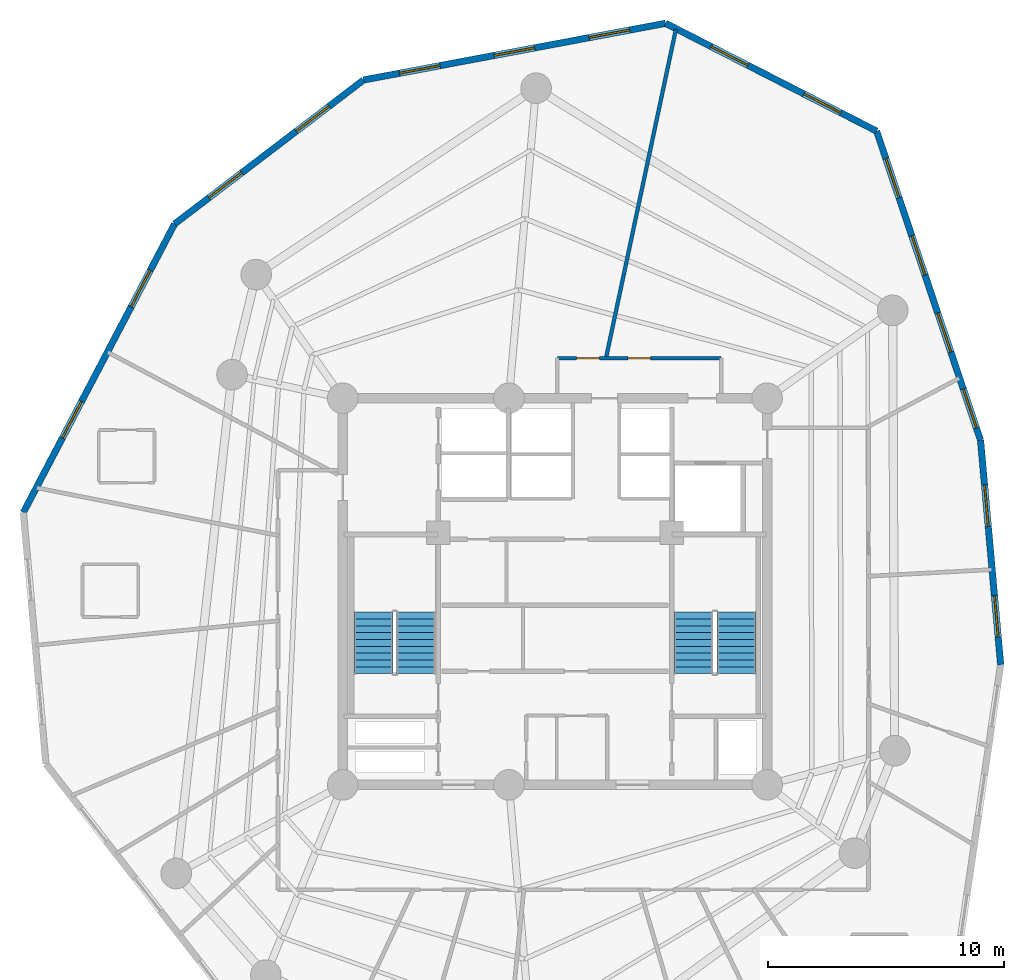
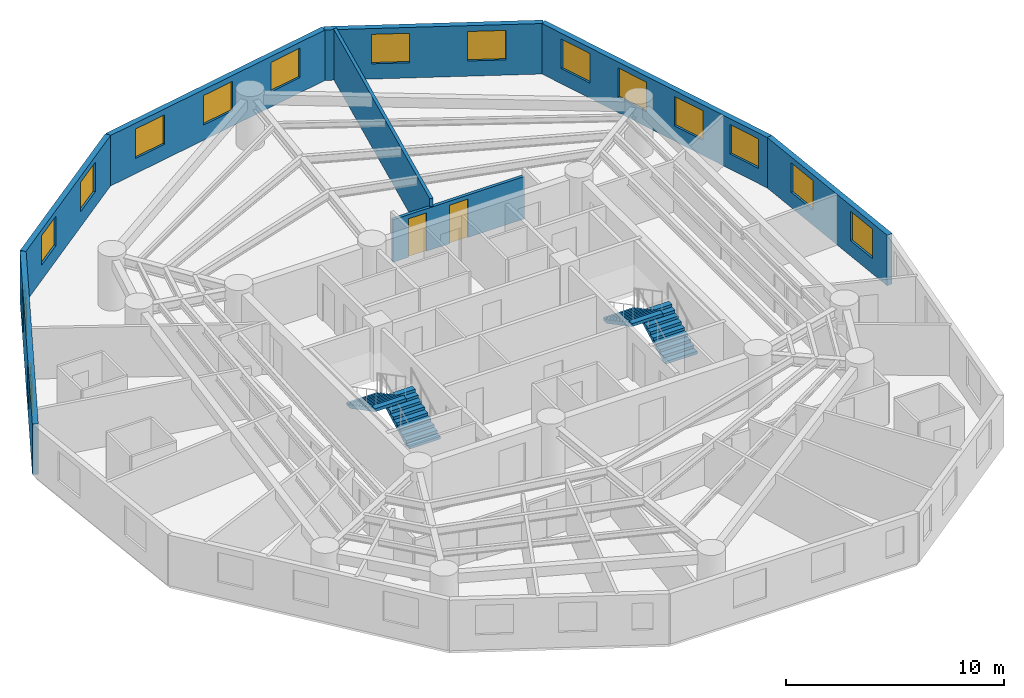
# One storey, part 6 of 7: 15 windows, 8 walls, 4 stair flights, 2 doors, 17 openings, 2 elements without a shape of their own.
"""IFC4 building model written with IfcOpenShell, lengths in metres."""

import ifcopenshell
import ifcopenshell.guid

model = None  # the IFC model being written
_history = None  # IfcOwnerHistory: only IFC2X3 demands one
_inside = {}  # id of a spatial element -> (the spatial element, [elements in it])
_under = {}  # id of a project, library or spatial element -> (it, [spatial elements below it])
_declared = {}  # id of a project -> (the project, [libraries it declares])
_typed = {}  # id of a type object -> (the type object, [elements of that type])
_made_of = {}  # id of a material, layer set ... -> (it, [elements and type objects made of it])


def new_model(schema):
    """Start an empty IFC model of exactly this schema.

    Asked for "IFC4X3", IfcOpenShell would pick the latest addendum, in which some entities
    have other attributes; the version numbers below select the first issue.
    IFC2X3 requires an IfcOwnerHistory on every rooted entity: one is made here for all.
    """
    global model, _history
    if schema == "IFC4X3":
        model = ifcopenshell.file(schema_version=(4, 3, 0, 0))
    else:
        model = ifcopenshell.file(schema=schema)
    _inside.clear()
    _under.clear()
    _declared.clear()
    _typed.clear()
    _made_of.clear()
    _history = None
    if model.schema == "IFC2X3":
        org = make("IfcOrganization", Name="unknown")
        user = make(
            "IfcPersonAndOrganization",
            ThePerson=make("IfcPerson", FamilyName="unknown"),
            TheOrganization=org,
        )
        app = make(
            "IfcApplication",
            ApplicationDeveloper=org,
            Version="unknown",
            ApplicationFullName="unknown",
            ApplicationIdentifier="unknown",
        )
        _history = make(
            "IfcOwnerHistory",
            OwningUser=user,
            OwningApplication=app,
            ChangeAction="ADDED",
            CreationDate=0,
        )
    return model


def make(cls, **values):
    """One entity of the class cls with the attributes given. An attribute that is None is left unset."""
    return model.create_entity(
        cls, **{name: value for name, value in values.items() if value is not None}
    )


def rooted(cls, **values):
    """An entity with a GlobalId (a new one), such as an element, a storey or a relation."""
    return make(cls, GlobalId=ifcopenshell.guid.new(), OwnerHistory=_history, **values)


def si_unit(unit_type, name, prefix=None):
    """IfcSIUnit, for example si_unit("LENGTHUNIT", "METRE", prefix="MILLI")."""
    return make("IfcSIUnit", UnitType=unit_type, Prefix=prefix, Name=name)


def assignment(units):
    """IfcUnitAssignment: the units of a project."""
    return None if units is None else make("IfcUnitAssignment", Units=units)


def point(xyz):
    """IfcCartesianPoint."""
    return None if xyz is None else make("IfcCartesianPoint", Coordinates=xyz)


def direction(xyz):
    """IfcDirection."""
    return None if xyz is None else make("IfcDirection", DirectionRatios=xyz)


def frame(location, z_axis=None, x_axis=None):
    """IfcAxis2Placement3D, a coordinate frame: its origin and axes. An axis left out is left unset."""
    return make(
        "IfcAxis2Placement3D",
        Location=point(location),
        Axis=direction(z_axis),
        RefDirection=direction(x_axis),
    )


def frame_2d(location, x_axis=None):
    """IfcAxis2Placement2D, a coordinate frame in the plane: its origin and x axis."""
    return make(
        "IfcAxis2Placement2D", Location=point(location), RefDirection=direction(x_axis)
    )


def origin():
    """The frame at (0, 0, 0) with its axes left unset."""
    return frame((0.0, 0.0, 0.0))


def origin_with_axes():
    """The frame at (0, 0, 0) with the z axis (0, 0, 1) and the x axis (1, 0, 0) written out."""
    return frame((0.0, 0.0, 0.0), z_axis=(0.0, 0.0, 1.0), x_axis=(1.0, 0.0, 0.0))


def place(relative_to, where):
    """IfcLocalPlacement: puts the frame where relative to a parent placement (None: the world)."""
    return make(
        "IfcLocalPlacement", PlacementRelTo=relative_to, RelativePlacement=where
    )


def context(
    kind, dimensions, precision=None, world=None, true_north=None, identifier=None
):
    """IfcGeometricRepresentationContext, for example the 3D "Model" context."""
    return make(
        "IfcGeometricRepresentationContext",
        ContextIdentifier=identifier,
        ContextType=kind,
        CoordinateSpaceDimension=dimensions,
        Precision=precision,
        WorldCoordinateSystem=world,
        TrueNorth=true_north,
    )


def subcontext(parent, identifier, kind, view, scale=None):
    """IfcGeometricRepresentationSubContext, for example "Body" below "Model"."""
    return make(
        "IfcGeometricRepresentationSubContext",
        ContextIdentifier=identifier,
        ContextType=kind,
        ParentContext=parent,
        TargetScale=scale,
        TargetView=view,
    )


def project(units=None, contexts=None):
    """IfcProject with its units and contexts."""
    return rooted(
        "IfcProject",
        Name="project",
        RepresentationContexts=contexts,
        UnitsInContext=assignment(units),
    )


def spatial(cls, under=None, at=None, **own):
    """A site, building, storey or space (cls), placed at a placement, below another one or the project."""
    s = rooted(cls, ObjectPlacement=at, **own)
    if under is not None:
        _under.setdefault(under.id(), (under, []))[1].append(s)
    return s


def polyline(points):
    """IfcPolyline through the points."""
    return make("IfcPolyline", Points=[point(p) for p in points])


def profile(cls, at=None, kind="AREA", **sizes):
    """A parametric profile (cls). Its sizes go by their IFC names, for example OverallWidth=200.0."""
    return make(cls, ProfileType=kind, Position=at, **sizes)


def rectangle(**sizes):
    """IfcRectangleProfileDef."""
    return profile("IfcRectangleProfileDef", **sizes)


def outline(outer, holes=None, kind="AREA"):
    """IfcArbitraryClosedProfileDef: a profile drawn as a closed curve; with holes, ...WithVoids."""
    if holes is None:
        return make("IfcArbitraryClosedProfileDef", ProfileType=kind, OuterCurve=outer)
    return make(
        "IfcArbitraryProfileDefWithVoids",
        ProfileType=kind,
        OuterCurve=outer,
        InnerCurves=holes,
    )


def extrude(swept, where, along, depth):
    """IfcExtrudedAreaSolid: the profile swept, set in the frame where, extruded along a direction by depth."""
    return make(
        "IfcExtrudedAreaSolid",
        SweptArea=swept,
        Position=where,
        ExtrudedDirection=direction(along),
        Depth=depth,
    )


def shape(context_of_items, identifier, shape_type, items):
    """IfcShapeRepresentation: the items that make up one representation, for example the "Body"."""
    return make(
        "IfcShapeRepresentation",
        ContextOfItems=context_of_items,
        RepresentationIdentifier=identifier,
        RepresentationType=shape_type,
        Items=items,
    )


def source(mapping_origin, context_of_items, identifier, shape_type, items):
    """IfcRepresentationMap: a shape defined once, which mapped items show again and again."""
    return make(
        "IfcRepresentationMap",
        MappingOrigin=mapping_origin,
        MappedRepresentation=shape(context_of_items, identifier, shape_type, items),
    )


def transform(
    local_origin,
    x_axis=None,
    y_axis=None,
    z_axis=None,
    scale=None,
    scale2=None,
    scale3=None,
    uniform=True,
):
    """IfcCartesianTransformationOperator3D, or its non-uniform kind. x_axis, y_axis, z_axis: its Axis1, 2, 3."""
    if uniform:
        return make(
            "IfcCartesianTransformationOperator3D",
            Axis1=direction(x_axis),
            Axis2=direction(y_axis),
            LocalOrigin=point(local_origin),
            Scale=scale,
            Axis3=direction(z_axis),
        )
    return make(
        "IfcCartesianTransformationOperator3DnonUniform",
        Axis1=direction(x_axis),
        Axis2=direction(y_axis),
        LocalOrigin=point(local_origin),
        Scale=scale,
        Axis3=direction(z_axis),
        Scale2=scale2,
        Scale3=scale3,
    )


def mapped(mapping_source, mapping_target):
    """IfcMappedItem: shows the shape of a source again, moved by a transform."""
    return make(
        "IfcMappedItem", MappingSource=mapping_source, MappingTarget=mapping_target
    )


def material(Name=None, Category=None):
    """IfcMaterial."""
    return make("IfcMaterial", Name=Name, Category=Category)


def layer(
    of_material, thickness, ventilated=None, Name=None, Category=None, Priority=None
):
    """IfcMaterialLayer: one layer of a wall or slab, of a material (None: an air gap)."""
    return make(
        "IfcMaterialLayer",
        Material=of_material,
        LayerThickness=thickness,
        IsVentilated=ventilated,
        Name=Name,
        Category=Category,
        Priority=Priority,
    )


def layer_set(layers, Name=None):
    """IfcMaterialLayerSet."""
    return make("IfcMaterialLayerSet", MaterialLayers=layers, LayerSetName=Name)


def made_of(thing, what):
    """Note that an element or type object is made of a material, layer set ...; save() writes the relation."""
    if what is not None:
        _made_of.setdefault(what.id(), (what, []))[1].append(thing)
    return thing


def type_object(cls, material=None, **own):
    """A type object (cls), such as IfcWallType, which elements share."""
    return made_of(rooted(cls, **own), material)


def element(
    cls,
    number,
    at=None,
    inside=None,
    cuts=None,
    type_object=None,
    material=None,
    context=None,
    identifier="Body",
    shape_type=None,
    held_by="IfcProductDefinitionShape",
    body=None,
    shapes=None,
    **own,
):
    """One element of the class cls, such as IfcWall. Its Tag is "e" and its number.

    at: its placement. inside: the storey or other place that contains it. cuts: it is an
    opening in that element (IfcRelVoidsElement). A single representation is given by context,
    identifier, shape_type and body (its items); several are given by shapes. held_by: the class
    of the entity that holds the representations. save() writes the other relations.
    """
    e = rooted(cls, Tag="e%d" % number, ObjectPlacement=at, **own)
    if body is not None:
        shapes = [shape(context, identifier, shape_type, body)]
    if shapes is not None:
        e.Representation = make(held_by, Representations=shapes)
    if inside is not None:
        _inside.setdefault(inside.id(), (inside, []))[1].append(e)
    if cuts is not None:
        rooted(
            "IfcRelVoidsElement", RelatingBuildingElement=cuts, RelatedOpeningElement=e
        )
    if type_object is not None:
        _typed.setdefault(type_object.id(), (type_object, []))[1].append(e)
    return made_of(e, material)


def fill(opening, filler):
    """IfcRelFillsElement: the door or window that sits in an opening."""
    return rooted(
        "IfcRelFillsElement",
        RelatingOpeningElement=opening,
        RelatedBuildingElement=filler,
    )


def aggregate(whole, parts):
    """IfcRelAggregates: a whole, such as a stair, and the parts it consists of."""
    return rooted("IfcRelAggregates", RelatingObject=whole, RelatedObjects=parts)


def save(model, path):
    """Write the relations noted so far, then the file.

    IfcRelAggregates (storeys below a building ...), IfcRelContainedInSpatialStructure (elements
    in a storey), IfcRelDefinesByType, IfcRelAssociatesMaterial and IfcRelDeclares: one each for
    every whole, place, type object, material and project.
    """
    for whole, parts in _under.values():
        aggregate(whole, parts)
    for where, things in _inside.values():
        rooted(
            "IfcRelContainedInSpatialStructure",
            RelatedElements=things,
            RelatingStructure=where,
        )
    for kind, things in _typed.values():
        rooted("IfcRelDefinesByType", RelatedObjects=things, RelatingType=kind)
    for what, things in _made_of.values():
        rooted("IfcRelAssociatesMaterial", RelatedObjects=things, RelatingMaterial=what)
    for by, libraries in _declared.values():
        rooted("IfcRelDeclares", RelatingContext=by, RelatedDefinitions=libraries)
    model.write(path)


model = new_model("IFC4")

# Units and contexts
model_context = context("Model", 3, precision=1e-05, world=origin(), true_north=direction((0.0, 1.0)))
body_context = subcontext(model_context, "Body", "Model", "MODEL_VIEW")
ifc_project = project(units=[si_unit("LENGTHUNIT", "METRE"), si_unit("AREAUNIT", "SQUARE_METRE"), si_unit("VOLUMEUNIT", "CUBIC_METRE"), si_unit("PLANEANGLEUNIT", "RADIAN"), si_unit("MASSUNIT", "GRAM", prefix="KILO")], contexts=[model_context])

# Site, building, storey
site_placement = place(None, origin())
site = spatial("IfcSite", under=ifc_project, at=site_placement, CompositionType="ELEMENT")
building_placement = place(site_placement, origin())
building = spatial("IfcBuilding", under=site, at=building_placement, Name="Karkom Vertical University and Central Library", CompositionType="ELEMENT")
storey_placement = place(building_placement, frame((0.0, 0.0, 199.25)))
storey = spatial("IfcBuildingStorey", under=building, at=storey_placement, Name="L58", CompositionType="ELEMENT", Elevation=199.25)

# Wall, openings, windows
ifc_material_1 = material(Name="Brick-faced precast concrete C45/55", Category="masonry")
ifc_layer_1 = layer(ifc_material_1, 0.280029296875)
ifc_layer_set_1 = layer_set([ifc_layer_1], Name="Brick-faced precast concrete C45/55")
wall_type_1 = type_object("IfcWallType", Name="ENV-WL-BRK-280", PredefinedType="SOLIDWALL", material=ifc_layer_set_1)
wall_1_placement = place(storey_placement, frame((47.4072265625, 23.39501953125, 0.0), z_axis=(0.0, 0.0, 1.0), x_axis=(-0.089232355469, 0.996010836657, 0.0)))
wall_1 = element("IfcWall", 1, at=wall_1_placement, inside=storey, type_object=wall_type_1, Name="Level 58 Brick-Faced Precast Facade Wall 07", PredefinedType="SOLIDWALL", context=body_context, shape_type="SweptSolid", body=[
    extrude(rectangle(XDim=9.5595703125, YDim=0.280029296875, at=frame_2d((4.77978515625, 0.0))), origin(), (0.0, 0.0, 1.0), 2.824951171875),
])
opening_1_placement = place(wall_1_placement, frame((1.182861328125, 0.0, 0.85009765625)))
opening_1 = element("IfcOpeningElement", 2, at=opening_1_placement, cuts=wall_1, Name="Opening WN-08", PredefinedType="OPENING", context=body_context, shape_type="SweptSolid", body=[
    extrude(rectangle(XDim=1.75, YDim=1.64990234375, at=frame_2d((0.875, 0.824951171875))), frame((0.0, 0.14990234375, 0.0), z_axis=(0.0, -1.0, 0.0), x_axis=(1.0, 0.0, 0.0)), (0.0, 0.0, 1.0), 0.300048828125),
])
opening_2_placement = place(wall_1_placement, frame((5.902587890625, 0.0, 0.85009765625)))
opening_2 = element("IfcOpeningElement", 3, at=opening_2_placement, cuts=wall_1, Name="Opening WN-08", PredefinedType="OPENING", context=body_context, shape_type="SweptSolid", body=[
    extrude(rectangle(XDim=1.75, YDim=1.64990234375, at=frame_2d((0.875, 0.824951171875))), frame((0.0, 0.14990234375, 0.0), z_axis=(0.0, -1.0, 0.0), x_axis=(1.0, 0.0, 0.0)), (0.0, 0.0, 1.0), 0.300048828125),
])
ifc_material_2 = material(Name="Aluminium thermal-break frame with solar-control IGU", Category="aluminium")
window_type = type_object("IfcWindowType", Name="ENV-WIN-WN-08", PartitioningType="SINGLE_PANEL", PredefinedType="WINDOW", material=ifc_material_2)
shared_shape_1 = source(origin_with_axes(), body_context, "Body", "SweptSolid", [
    extrude(rectangle(XDim=1.75, YDim=1.64990234375, at=frame_2d((0.875, 0.824951171875))), frame((0.0, 0.030029296875, 0.0), z_axis=(0.0, -1.0, 0.0), x_axis=(1.0, 0.0, 0.0)), (0.0, 0.0, 1.0), 0.06005859375),
])
window_1_placement = place(opening_1_placement, origin())
window_1 = element("IfcWindow", 4, at=window_1_placement, inside=storey, type_object=window_type, Name="Level 58 Punched Window 7.1", OverallHeight=1.64990234375, OverallWidth=1.75, PartitioningType="SINGLE_PANEL", PredefinedType="WINDOW", context=body_context, shape_type="MappedRepresentation", body=[
    mapped(shared_shape_1, transform((0.0, 0.0, 0.0), scale=1.0)),
])
fill(opening_1, window_1)
window_2_placement = place(opening_2_placement, origin())
window_2 = element("IfcWindow", 5, at=window_2_placement, inside=storey, type_object=window_type, Name="Level 58 Punched Window 7.2", OverallHeight=1.64990234375, OverallWidth=1.75, PartitioningType="SINGLE_PANEL", PredefinedType="WINDOW", context=body_context, shape_type="MappedRepresentation", body=[
    mapped(shared_shape_1, transform((0.0, 0.0, 0.0), scale=1.0)),
])
fill(opening_2, window_2)

wall_2_placement = place(storey_placement, frame((46.55419921875, 32.91650390625, 0.0), z_axis=(0.0, 0.0, 1.0), x_axis=(-0.318603463381, 0.947888091033, 0.0)))
wall_2 = element("IfcWall", 6, at=wall_2_placement, inside=storey, type_object=wall_type_1, Name="Level 58 Brick-Faced Precast Facade Wall 08", PredefinedType="SOLIDWALL", context=body_context, shape_type="SweptSolid", body=[
    extrude(rectangle(XDim=13.836669921875, YDim=0.280029296875, at=frame_2d((6.91845703125, 0.0))), origin(), (0.0, 0.0, 1.0), 2.824951171875),
])
opening_3_placement = place(wall_2_placement, frame((0.5439453125, 0.0, 0.85009765625)))
opening_3 = element("IfcOpeningElement", 7, at=opening_3_placement, cuts=wall_2, Name="Opening WN-08", PredefinedType="OPENING", context=body_context, shape_type="SweptSolid", body=[
    extrude(rectangle(XDim=1.75, YDim=1.64990234375, at=frame_2d((0.875, 0.824951171875))), frame((0.0, 0.14990234375, 0.0), z_axis=(0.0, -1.0, 0.0), x_axis=(1.0, 0.0, 0.0)), (0.0, 0.0, 1.0), 0.300048828125),
])
opening_4_placement = place(wall_2_placement, frame((3.949462890625, 0.0, 0.85009765625)))
opening_4 = element("IfcOpeningElement", 8, at=opening_4_placement, cuts=wall_2, Name="Opening WN-08", PredefinedType="OPENING", context=body_context, shape_type="SweptSolid", body=[
    extrude(rectangle(XDim=1.75, YDim=1.64990234375, at=frame_2d((0.875, 0.824951171875))), frame((0.0, 0.14990234375, 0.0), z_axis=(0.0, -1.0, 0.0), x_axis=(1.0, 0.0, 0.0)), (0.0, 0.0, 1.0), 0.300048828125),
])
opening_5_placement = place(wall_2_placement, frame((7.40234375, 0.0, 0.85009765625)))
opening_5 = element("IfcOpeningElement", 9, at=opening_5_placement, cuts=wall_2, Name="Opening WN-08", PredefinedType="OPENING", context=body_context, shape_type="SweptSolid", body=[
    extrude(rectangle(XDim=1.75, YDim=1.64990234375, at=frame_2d((0.875, 0.824951171875))), frame((0.0, 0.14990234375, 0.0), z_axis=(0.0, -1.0, 0.0), x_axis=(1.0, 0.0, 0.0)), (0.0, 0.0, 1.0), 0.300048828125),
])
opening_6_placement = place(wall_2_placement, frame((10.855224609375, 0.0, 0.85009765625)))
opening_6 = element("IfcOpeningElement", 10, at=opening_6_placement, cuts=wall_2, Name="Opening WN-08", PredefinedType="OPENING", context=body_context, shape_type="SweptSolid", body=[
    extrude(rectangle(XDim=1.75, YDim=1.64990234375, at=frame_2d((0.875, 0.824951171875))), frame((0.0, 0.14990234375, 0.0), z_axis=(0.0, -1.0, 0.0), x_axis=(1.0, 0.0, 0.0)), (0.0, 0.0, 1.0), 0.300048828125),
])
window_3_placement = place(opening_3_placement, origin())
window_3 = element("IfcWindow", 11, at=window_3_placement, inside=storey, type_object=window_type, Name="Level 58 Punched Window 8.1", OverallHeight=1.64990234375, OverallWidth=1.75, PartitioningType="SINGLE_PANEL", PredefinedType="WINDOW", context=body_context, shape_type="MappedRepresentation", body=[
    mapped(shared_shape_1, transform((0.0, 0.0, 0.0), scale=1.0)),
])
fill(opening_3, window_3)
window_4_placement = place(opening_4_placement, origin())
window_4 = element("IfcWindow", 12, at=window_4_placement, inside=storey, type_object=window_type, Name="Level 58 Punched Window 8.2", OverallHeight=1.64990234375, OverallWidth=1.75, PartitioningType="SINGLE_PANEL", PredefinedType="WINDOW", context=body_context, shape_type="MappedRepresentation", body=[
    mapped(shared_shape_1, transform((0.0, 0.0, 0.0), scale=1.0)),
])
fill(opening_4, window_4)
window_5_placement = place(opening_5_placement, origin())
window_5 = element("IfcWindow", 13, at=window_5_placement, inside=storey, type_object=window_type, Name="Level 58 Punched Window 8.3", OverallHeight=1.64990234375, OverallWidth=1.75, PartitioningType="SINGLE_PANEL", PredefinedType="WINDOW", context=body_context, shape_type="MappedRepresentation", body=[
    mapped(shared_shape_1, transform((0.0, 0.0, 0.0), scale=1.0)),
])
fill(opening_5, window_5)
window_6_placement = place(opening_6_placement, origin())
window_6 = element("IfcWindow", 14, at=window_6_placement, inside=storey, type_object=window_type, Name="Level 58 Punched Window 8.4", OverallHeight=1.64990234375, OverallWidth=1.75, PartitioningType="SINGLE_PANEL", PredefinedType="WINDOW", context=body_context, shape_type="MappedRepresentation", body=[
    mapped(shared_shape_1, transform((0.0, 0.0, 0.0), scale=1.0)),
])
fill(opening_6, window_6)

wall_3_placement = place(storey_placement, frame((42.145751953125, 46.0322265625, 0.0), z_axis=(0.0, 0.0, 1.0), x_axis=(-0.890552311642, 0.454880841792, 0.0)))
wall_3 = element("IfcWall", 15, at=wall_3_placement, inside=storey, type_object=wall_type_1, Name="Level 58 Brick-Faced Precast Facade Wall 09", PredefinedType="SOLIDWALL", context=body_context, shape_type="SweptSolid", body=[
    extrude(rectangle(XDim=10.05322265625, YDim=0.280029296875, at=frame_2d((5.026611328125, 0.0))), origin(), (0.0, 0.0, 1.0), 2.824951171875),
])
opening_7_placement = place(wall_3_placement, frame((1.714599609375, 0.0, 0.85009765625)))
opening_7 = element("IfcOpeningElement", 16, at=opening_7_placement, cuts=wall_3, Name="Opening WN-08", PredefinedType="OPENING", context=body_context, shape_type="SweptSolid", body=[
    extrude(rectangle(XDim=1.75, YDim=1.64990234375, at=frame_2d((0.875, 0.824951171875))), frame((0.0, 0.14990234375, 0.0), z_axis=(0.0, -1.0, 0.0), x_axis=(1.0, 0.0, 0.0)), (0.0, 0.0, 1.0), 0.300048828125),
])
opening_8_placement = place(wall_3_placement, frame((6.1337890625, 0.0, 0.85009765625)))
opening_8 = element("IfcOpeningElement", 17, at=opening_8_placement, cuts=wall_3, Name="Opening WN-08", PredefinedType="OPENING", context=body_context, shape_type="SweptSolid", body=[
    extrude(rectangle(XDim=1.75, YDim=1.64990234375, at=frame_2d((0.875, 0.824951171875))), frame((0.0, 0.14990234375, 0.0), z_axis=(0.0, -1.0, 0.0), x_axis=(1.0, 0.0, 0.0)), (0.0, 0.0, 1.0), 0.300048828125),
])
window_7_placement = place(opening_7_placement, origin())
window_7 = element("IfcWindow", 18, at=window_7_placement, inside=storey, type_object=window_type, Name="Level 58 Punched Window 9.1", OverallHeight=1.64990234375, OverallWidth=1.75, PartitioningType="SINGLE_PANEL", PredefinedType="WINDOW", context=body_context, shape_type="MappedRepresentation", body=[
    mapped(shared_shape_1, transform((0.0, 0.0, 0.0), scale=1.0)),
])
fill(opening_7, window_7)
window_8_placement = place(opening_8_placement, origin())
window_8 = element("IfcWindow", 19, at=window_8_placement, inside=storey, type_object=window_type, Name="Level 58 Punched Window 9.2", OverallHeight=1.64990234375, OverallWidth=1.75, PartitioningType="SINGLE_PANEL", PredefinedType="WINDOW", context=body_context, shape_type="MappedRepresentation", body=[
    mapped(shared_shape_1, transform((0.0, 0.0, 0.0), scale=1.0)),
])
fill(opening_8, window_8)

wall_4_placement = place(storey_placement, frame((33.19287109375, 50.605224609375, 0.0), z_axis=(0.0, 0.0, 1.0), x_axis=(-0.982828906214, -0.184519216099, 0.0)))
wall_4 = element("IfcWall", 20, at=wall_4_placement, inside=storey, type_object=wall_type_1, Name="Level 58 Brick-Faced Precast Facade Wall 10", PredefinedType="SOLIDWALL", context=body_context, shape_type="SweptSolid", body=[
    extrude(rectangle(XDim=13.035400390625, YDim=0.280029296875, at=frame_2d((6.517578125, 0.0))), origin(), (0.0, 0.0, 1.0), 2.824951171875),
])
opening_9_placement = place(wall_4_placement, frame((1.55078125, 0.0, 0.85009765625)))
opening_9 = element("IfcOpeningElement", 21, at=opening_9_placement, cuts=wall_4, Name="Opening WN-08", PredefinedType="OPENING", context=body_context, shape_type="SweptSolid", body=[
    extrude(rectangle(XDim=1.75, YDim=1.64990234375, at=frame_2d((0.875, 0.824951171875))), frame((0.0, 0.14990234375, 0.0), z_axis=(0.0, -1.0, 0.0), x_axis=(1.0, 0.0, 0.0)), (0.0, 0.0, 1.0), 0.300048828125),
])
opening_10_placement = place(wall_4_placement, frame((5.642578125, 0.0, 0.85009765625)))
opening_10 = element("IfcOpeningElement", 22, at=opening_10_placement, cuts=wall_4, Name="Opening WN-08", PredefinedType="OPENING", context=body_context, shape_type="SweptSolid", body=[
    extrude(rectangle(XDim=1.75, YDim=1.64990234375, at=frame_2d((0.875, 0.824951171875))), frame((0.0, 0.14990234375, 0.0), z_axis=(0.0, -1.0, 0.0), x_axis=(1.0, 0.0, 0.0)), (0.0, 0.0, 1.0), 0.300048828125),
])
opening_11_placement = place(wall_4_placement, frame((9.734619140625, 0.0, 0.85009765625)))
opening_11 = element("IfcOpeningElement", 23, at=opening_11_placement, cuts=wall_4, Name="Opening WN-08", PredefinedType="OPENING", context=body_context, shape_type="SweptSolid", body=[
    extrude(rectangle(XDim=1.75, YDim=1.64990234375, at=frame_2d((0.875, 0.824951171875))), frame((0.0, 0.14990234375, 0.0), z_axis=(0.0, -1.0, 0.0), x_axis=(1.0, 0.0, 0.0)), (0.0, 0.0, 1.0), 0.300048828125),
])
window_9_placement = place(opening_9_placement, origin())
window_9 = element("IfcWindow", 24, at=window_9_placement, inside=storey, type_object=window_type, Name="Level 58 Punched Window 10.1", OverallHeight=1.64990234375, OverallWidth=1.75, PartitioningType="SINGLE_PANEL", PredefinedType="WINDOW", context=body_context, shape_type="MappedRepresentation", body=[
    mapped(shared_shape_1, transform((0.0, 0.0, 0.0), scale=1.0)),
])
fill(opening_9, window_9)
window_10_placement = place(opening_10_placement, origin())
window_10 = element("IfcWindow", 25, at=window_10_placement, inside=storey, type_object=window_type, Name="Level 58 Punched Window 10.2", OverallHeight=1.64990234375, OverallWidth=1.75, PartitioningType="SINGLE_PANEL", PredefinedType="WINDOW", context=body_context, shape_type="MappedRepresentation", body=[
    mapped(shared_shape_1, transform((0.0, 0.0, 0.0), scale=1.0)),
])
fill(opening_10, window_10)
window_11_placement = place(opening_11_placement, origin())
window_11 = element("IfcWindow", 26, at=window_11_placement, inside=storey, type_object=window_type, Name="Level 58 Punched Window 10.3", OverallHeight=1.64990234375, OverallWidth=1.75, PartitioningType="SINGLE_PANEL", PredefinedType="WINDOW", context=body_context, shape_type="MappedRepresentation", body=[
    mapped(shared_shape_1, transform((0.0, 0.0, 0.0), scale=1.0)),
])
fill(opening_11, window_11)

wall_5_placement = place(storey_placement, frame((20.38134765625, 48.199951171875, 0.0), z_axis=(0.0, 0.0, 1.0), x_axis=(-0.795511260427, -0.605938804282, 0.0)))
wall_5 = element("IfcWall", 27, at=wall_5_placement, inside=storey, type_object=wall_type_1, Name="Level 58 Brick-Faced Precast Facade Wall 11", PredefinedType="SOLIDWALL", context=body_context, shape_type="SweptSolid", body=[
    extrude(rectangle(XDim=10.074951171875, YDim=0.280029296875, at=frame_2d((5.03759765625, 0.0))), origin(), (0.0, 0.0, 1.0), 2.824951171875),
])
opening_12_placement = place(wall_5_placement, frame((1.833740234375, 0.0, 0.85009765625)))
opening_12 = element("IfcOpeningElement", 28, at=opening_12_placement, cuts=wall_5, Name="Opening WN-08", PredefinedType="OPENING", context=body_context, shape_type="SweptSolid", body=[
    extrude(rectangle(XDim=1.75, YDim=1.64990234375, at=frame_2d((0.875, 0.824951171875))), frame((0.0, 0.14990234375, 0.0), z_axis=(0.0, -1.0, 0.0), x_axis=(1.0, 0.0, 0.0)), (0.0, 0.0, 1.0), 0.300048828125),
])
opening_13_placement = place(wall_5_placement, frame((6.490966796875, 0.0, 0.85009765625)))
opening_13 = element("IfcOpeningElement", 29, at=opening_13_placement, cuts=wall_5, Name="Opening WN-08", PredefinedType="OPENING", context=body_context, shape_type="SweptSolid", body=[
    extrude(rectangle(XDim=1.75, YDim=1.64990234375, at=frame_2d((0.875, 0.824951171875))), frame((0.0, 0.14990234375, 0.0), z_axis=(0.0, -1.0, 0.0), x_axis=(1.0, 0.0, 0.0)), (0.0, 0.0, 1.0), 0.300048828125),
])
window_12_placement = place(opening_12_placement, origin())
window_12 = element("IfcWindow", 30, at=window_12_placement, inside=storey, type_object=window_type, Name="Level 58 Punched Window 11.1", OverallHeight=1.64990234375, OverallWidth=1.75, PartitioningType="SINGLE_PANEL", PredefinedType="WINDOW", context=body_context, shape_type="MappedRepresentation", body=[
    mapped(shared_shape_1, transform((0.0, 0.0, 0.0), scale=1.0)),
])
fill(opening_12, window_12)
window_13_placement = place(opening_13_placement, origin())
window_13 = element("IfcWindow", 31, at=window_13_placement, inside=storey, type_object=window_type, Name="Level 58 Punched Window 11.2", OverallHeight=1.64990234375, OverallWidth=1.75, PartitioningType="SINGLE_PANEL", PredefinedType="WINDOW", context=body_context, shape_type="MappedRepresentation", body=[
    mapped(shared_shape_1, transform((0.0, 0.0, 0.0), scale=1.0)),
])
fill(opening_13, window_13)

wall_6_placement = place(storey_placement, frame((12.36669921875, 42.09521484375, 0.0), z_axis=(0.0, 0.0, 1.0), x_axis=(-0.464253195627, -0.885702529267, 0.0)))
wall_6 = element("IfcWall", 32, at=wall_6_placement, inside=storey, type_object=wall_type_1, Name="Level 58 Brick-Faced Precast Facade Wall 12", PredefinedType="SOLIDWALL", context=body_context, shape_type="SweptSolid", body=[
    extrude(rectangle(XDim=13.820068359375, YDim=0.280029296875, at=frame_2d((6.91015625, 0.0))), origin(), (0.0, 0.0, 1.0), 2.824951171875),
])
opening_14_placement = place(wall_6_placement, frame((2.22314453125, 0.0, 0.85009765625)))
opening_14 = element("IfcOpeningElement", 33, at=opening_14_placement, cuts=wall_6, Name="Opening WN-08", PredefinedType="OPENING", context=body_context, shape_type="SweptSolid", body=[
    extrude(rectangle(XDim=1.75, YDim=1.64990234375, at=frame_2d((0.875, 0.824951171875))), frame((0.0, 0.14990234375, 0.0), z_axis=(0.0, -1.0, 0.0), x_axis=(1.0, 0.0, 0.0)), (0.0, 0.0, 1.0), 0.300048828125),
])
opening_15_placement = place(wall_6_placement, frame((8.501708984375, 0.0, 0.85009765625)))
opening_15 = element("IfcOpeningElement", 34, at=opening_15_placement, cuts=wall_6, Name="Opening WN-08", PredefinedType="OPENING", context=body_context, shape_type="SweptSolid", body=[
    extrude(rectangle(XDim=1.75, YDim=1.64990234375, at=frame_2d((0.875, 0.824951171875))), frame((0.0, 0.14990234375, 0.0), z_axis=(0.0, -1.0, 0.0), x_axis=(1.0, 0.0, 0.0)), (0.0, 0.0, 1.0), 0.300048828125),
])
window_14_placement = place(opening_14_placement, origin())
window_14 = element("IfcWindow", 35, at=window_14_placement, inside=storey, type_object=window_type, Name="Level 58 Punched Window 12.1", OverallHeight=1.64990234375, OverallWidth=1.75, PartitioningType="SINGLE_PANEL", PredefinedType="WINDOW", context=body_context, shape_type="MappedRepresentation", body=[
    mapped(shared_shape_1, transform((0.0, 0.0, 0.0), scale=1.0)),
])
fill(opening_14, window_14)
window_15_placement = place(opening_15_placement, origin())
window_15 = element("IfcWindow", 36, at=window_15_placement, inside=storey, type_object=window_type, Name="Level 58 Punched Window 12.2", OverallHeight=1.64990234375, OverallWidth=1.75, PartitioningType="SINGLE_PANEL", PredefinedType="WINDOW", context=body_context, shape_type="MappedRepresentation", body=[
    mapped(shared_shape_1, transform((0.0, 0.0, 0.0), scale=1.0)),
])
fill(opening_15, window_15)

# Wall
ifc_material_3 = material(Name="Insulated metal-stud drywall 160mm", Category="gypsum")
ifc_layer_2 = layer(ifc_material_3, 0.159912109375)
ifc_layer_set_2 = layer_set([ifc_layer_2], Name="Insulated metal-stud drywall 160mm")
wall_type_2 = type_object("IfcWallType", Name="INT-WL-COR-160", PredefinedType="PARTITIONING", material=ifc_layer_set_2)
wall_7_placement = place(storey_placement, frame((30.659423828125, 36.37060546875, 0.0), z_axis=(0.0, 0.0, 1.0), x_axis=(0.207917796802, 0.978146302847, 0.0)))
element("IfcWall", 37, at=wall_7_placement, inside=storey, type_object=wall_type_2, Name="Level 58 Interior Partition Wall L58-PW-015", PredefinedType="PARTITIONING", context=body_context, shape_type="SweptSolid", body=[
    extrude(rectangle(XDim=14.29248046875, YDim=0.159912109375, at=frame_2d((7.146240234375, 0.0))), origin(), (0.0, 0.0, 1.0), 2.824951171875),
])

# Wall, openings, doors
wall_8_placement = place(storey_placement, frame((28.60009765625, 36.39990234375, 0.0), z_axis=(0.0, 0.0, 1.0), x_axis=(1.0, 0.0, 0.0)))
wall_8 = element("IfcWall", 38, at=wall_8_placement, inside=storey, type_object=wall_type_2, Name="Level 58 Interior Partition Wall L58-CORW-CW-007", PredefinedType="PARTITIONING", context=body_context, shape_type="SweptSolid", body=[
    extrude(rectangle(XDim=6.949951171875, YDim=0.159912109375, at=frame_2d((3.47509765625, 0.0))), origin(), (0.0, 0.0, 1.0), 2.375),
])
opening_16_placement = place(wall_8_placement, frame((3.0, 0.0, 0.0)))
opening_16 = element("IfcOpeningElement", 39, at=opening_16_placement, cuts=wall_8, Name="Opening FD-RM2", PredefinedType="OPENING", context=body_context, shape_type="SweptSolid", body=[
    extrude(rectangle(XDim=0.9599609375, YDim=2.14990234375, at=frame_2d((0.47998046875, 1.074951171875))), frame((0.0, 0.08984375, 0.0), z_axis=(0.0, -1.0, 0.0), x_axis=(1.0, 0.0, 0.0)), (0.0, 0.0, 1.0), 0.179931640625),
])
opening_17_placement = place(wall_8_placement, frame((0.822509765625, 0.0, 0.0)))
opening_17 = element("IfcOpeningElement", 40, at=opening_17_placement, cuts=wall_8, Name="Opening FD-RM2", PredefinedType="OPENING", context=body_context, shape_type="SweptSolid", body=[
    extrude(rectangle(XDim=0.9599609375, YDim=2.14990234375, at=frame_2d((0.47998046875, 1.074951171875))), frame((0.0, 0.08984375, 0.0), z_axis=(0.0, -1.0, 0.0), x_axis=(1.0, 0.0, 0.0)), (0.0, 0.0, 1.0), 0.179931640625),
])
ifc_material_4 = material(Name="Fire-rated oak veneer door", Category="wood")
door_type = type_object("IfcDoorType", Name="INT-DR-FRM2", OperationType="NOTDEFINED", PredefinedType="DOOR", material=ifc_material_4)
shared_shape_2 = source(origin_with_axes(), body_context, "Body", "SweptSolid", [
    extrude(rectangle(XDim=0.9599609375, YDim=2.14990234375, at=frame_2d((0.47998046875, 1.074951171875))), frame((0.0, 0.02490234375, 0.0), z_axis=(0.0, -1.0, 0.0), x_axis=(1.0, 0.0, 0.0)), (0.0, 0.0, 1.0), 0.050048828125),
])
door_1_placement = place(opening_16_placement, origin())
door_1 = element("IfcDoor", 41, at=door_1_placement, inside=storey, type_object=door_type, Name="Level 58 Room Entry Door 131", OperationType="SINGLE_SWING_RIGHT", OverallHeight=2.14990234375, OverallWidth=0.9599609375, PredefinedType="DOOR", context=body_context, shape_type="MappedRepresentation", body=[
    mapped(shared_shape_2, transform((0.0, 0.0, 0.0), scale=1.0)),
])
fill(opening_16, door_1)
door_2_placement = place(opening_17_placement, origin())
door_2 = element("IfcDoor", 42, at=door_2_placement, inside=storey, type_object=door_type, Name="Level 58 Room Entry Door 141", OperationType="SINGLE_SWING_LEFT", OverallHeight=2.14990234375, OverallWidth=0.9599609375, PredefinedType="DOOR", context=body_context, shape_type="MappedRepresentation", body=[
    mapped(shared_shape_2, transform((0.0, 0.0, 0.0), scale=1.0)),
])
fill(opening_17, door_2)

# Stair, stair flights
ifc_material_5 = material(Name="Concrete C45/55", Category="concrete")
stair_type = type_object("IfcStairType", Name="INT-STR-ST-MAIN", PredefinedType="HALF_TURN_STAIR", material=ifc_material_5)
stair_1_placement = place(storey_placement, origin())
stair_1 = element("IfcStair", 43, at=stair_1_placement, inside=storey, type_object=stair_type, Name="Level 58 Tower Protected Exit Stair ST-1", PredefinedType="HALF_TURN_STAIR")
stair_flight_type = type_object("IfcStairFlightType", Name="INT-SFL-ST-MAIN", PredefinedType="STRAIGHT", material=ifc_material_5)
stair_flight_1_placement = place(storey_placement, frame((22.614990234375, 23.02001953125, 0.0), z_axis=(0.0, 0.0, 1.0), x_axis=(0.0, 1.0, 0.0)))
stair_flight_1 = element("IfcStairFlight", 44, at=stair_flight_1_placement, type_object=stair_flight_type, Name="ST-1 flight 1", NumberOfRisers=10, NumberOfTreads=9, PredefinedType="STRAIGHT", RiserHeight=0.1525, TreadLength=0.29, context=body_context, shape_type="SweptSolid", body=[
    extrude(outline(polyline([(0.0, 0.0), (0.0, 0.152587890625), (0.2900390625, 0.152587890625), (0.2900390625, 0.304931640625), (0.580078125, 0.304931640625), (0.580078125, 0.45751953125), (0.8701171875, 0.45751953125), (0.8701171875, 0.610107421875), (1.159912109375, 0.610107421875), (1.159912109375, 0.762451171875), (1.449951171875, 0.762451171875), (1.449951171875, 0.9150390625), (1.739990234375, 0.9150390625), (1.739990234375, 1.0673828125), (2.030029296875, 1.0673828125), (2.030029296875, 1.219970703125), (2.320068359375, 1.219970703125), (2.320068359375, 1.37255859375), (2.610107421875, 1.37255859375), (2.610107421875, 1.52490234375), (2.610107421875, 1.203125), (0.322021484375, 0.0), (0.0, 0.0)])), frame((0.0, 0.824951171875, 0.0), z_axis=(0.0, -1.0, 0.0), x_axis=(1.0, 0.0, 0.0)), (0.0, 0.0, 1.0), 1.64990234375),
])
stair_flight_2_placement = place(storey_placement, frame((20.804931640625, 25.6298828125, 1.52490234375), z_axis=(0.0, 0.0, 1.0), x_axis=(0.0, -1.0, 0.0)))
stair_flight_2 = element("IfcStairFlight", 45, at=stair_flight_2_placement, type_object=stair_flight_type, Name="ST-1 flight 2", NumberOfRisers=10, NumberOfTreads=9, PredefinedType="STRAIGHT", RiserHeight=0.1525, TreadLength=0.29, context=body_context, shape_type="SweptSolid", body=[
    extrude(outline(polyline([(0.0, 0.0), (0.0, 0.152587890625), (0.2900390625, 0.152587890625), (0.2900390625, 0.304931640625), (0.580078125, 0.304931640625), (0.580078125, 0.45751953125), (0.8701171875, 0.45751953125), (0.8701171875, 0.610107421875), (1.159912109375, 0.610107421875), (1.159912109375, 0.762451171875), (1.449951171875, 0.762451171875), (1.449951171875, 0.9150390625), (1.739990234375, 0.9150390625), (1.739990234375, 1.0673828125), (2.030029296875, 1.0673828125), (2.030029296875, 1.219970703125), (2.320068359375, 1.219970703125), (2.320068359375, 1.37255859375), (2.610107421875, 1.37255859375), (2.610107421875, 1.52490234375), (2.610107421875, 1.203125), (0.322021484375, 0.0), (0.0, 0.0)])), frame((0.0, 0.824951171875, 0.0), z_axis=(0.0, -1.0, 0.0), x_axis=(1.0, 0.0, 0.0)), (0.0, 0.0, 1.0), 1.64990234375),
])
aggregate(stair_1, [stair_flight_1, stair_flight_2])

stair_2_placement = place(storey_placement, origin())
stair_2 = element("IfcStair", 46, at=stair_2_placement, inside=storey, type_object=stair_type, Name="Level 58 Tower Protected Exit Stair ST-2", PredefinedType="HALF_TURN_STAIR")
stair_flight_3_placement = place(storey_placement, frame((36.195068359375, 23.02001953125, 0.0), z_axis=(0.0, 0.0, 1.0), x_axis=(0.0, 1.0, 0.0)))
stair_flight_3 = element("IfcStairFlight", 47, at=stair_flight_3_placement, type_object=stair_flight_type, Name="ST-2 flight 1", NumberOfRisers=10, NumberOfTreads=9, PredefinedType="STRAIGHT", RiserHeight=0.1525, TreadLength=0.29, context=body_context, shape_type="SweptSolid", body=[
    extrude(outline(polyline([(0.0, 0.0), (0.0, 0.152587890625), (0.2900390625, 0.152587890625), (0.2900390625, 0.304931640625), (0.580078125, 0.304931640625), (0.580078125, 0.45751953125), (0.8701171875, 0.45751953125), (0.8701171875, 0.610107421875), (1.159912109375, 0.610107421875), (1.159912109375, 0.762451171875), (1.449951171875, 0.762451171875), (1.449951171875, 0.9150390625), (1.739990234375, 0.9150390625), (1.739990234375, 1.0673828125), (2.030029296875, 1.0673828125), (2.030029296875, 1.219970703125), (2.320068359375, 1.219970703125), (2.320068359375, 1.37255859375), (2.610107421875, 1.37255859375), (2.610107421875, 1.52490234375), (2.610107421875, 1.203125), (0.322021484375, 0.0), (0.0, 0.0)])), frame((0.0, 0.824951171875, 0.0), z_axis=(0.0, -1.0, 0.0), x_axis=(1.0, 0.0, 0.0)), (0.0, 0.0, 1.0), 1.64990234375),
])
stair_flight_4_placement = place(storey_placement, frame((34.385009765625, 25.6298828125, 1.52490234375), z_axis=(0.0, 0.0, 1.0), x_axis=(0.0, -1.0, 0.0)))
stair_flight_4 = element("IfcStairFlight", 48, at=stair_flight_4_placement, type_object=stair_flight_type, Name="ST-2 flight 2", NumberOfRisers=10, NumberOfTreads=9, PredefinedType="STRAIGHT", RiserHeight=0.1525, TreadLength=0.29, context=body_context, shape_type="SweptSolid", body=[
    extrude(outline(polyline([(0.0, 0.0), (0.0, 0.152587890625), (0.2900390625, 0.152587890625), (0.2900390625, 0.304931640625), (0.580078125, 0.304931640625), (0.580078125, 0.45751953125), (0.8701171875, 0.45751953125), (0.8701171875, 0.610107421875), (1.159912109375, 0.610107421875), (1.159912109375, 0.762451171875), (1.449951171875, 0.762451171875), (1.449951171875, 0.9150390625), (1.739990234375, 0.9150390625), (1.739990234375, 1.0673828125), (2.030029296875, 1.0673828125), (2.030029296875, 1.219970703125), (2.320068359375, 1.219970703125), (2.320068359375, 1.37255859375), (2.610107421875, 1.37255859375), (2.610107421875, 1.52490234375), (2.610107421875, 1.203125), (0.322021484375, 0.0), (0.0, 0.0)])), frame((0.0, 0.824951171875, 0.0), z_axis=(0.0, -1.0, 0.0), x_axis=(1.0, 0.0, 0.0)), (0.0, 0.0, 1.0), 1.64990234375),
])
aggregate(stair_2, [stair_flight_3, stair_flight_4])

save(model, "model.ifc")
